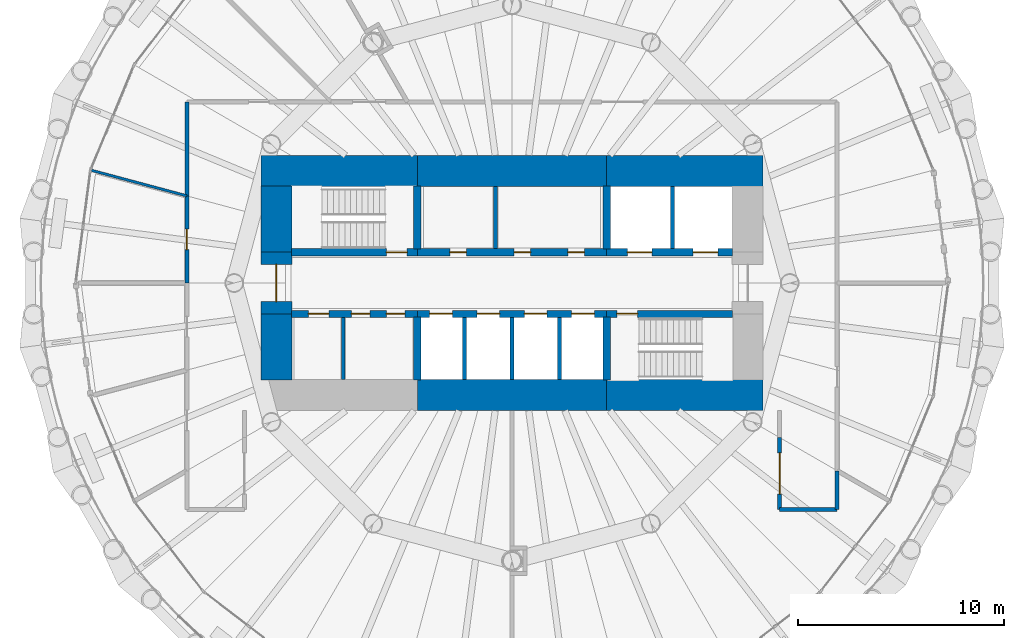
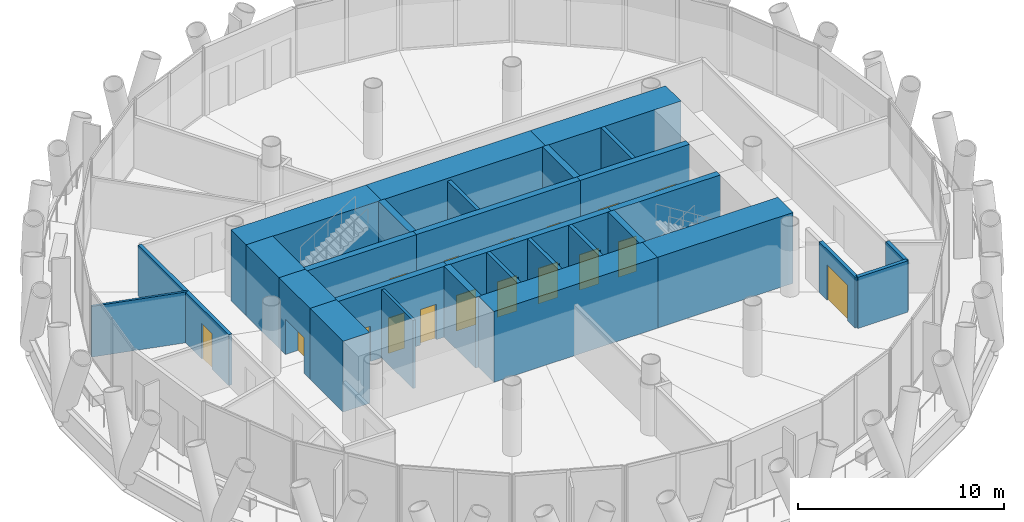
# One storey, part 10 of 14: 30 walls, 17 doors, 17 openings.
"""IFC4 building model written with IfcOpenShell, lengths in metres."""

from ifc_helpers import new_model, si_unit, direction, frame, frame_2d, origin, place, context, subcontext, project, spatial, rectangle, extrude, material, layer, layer_set, type_object, element, fill, save


model = new_model("IFC4")

# Units and contexts
model_context = context("Model", 3, precision=1e-05, world=origin(), true_north=direction((0.0, 1.0)))
body_context = subcontext(model_context, "Body", "Model", "MODEL_VIEW")
ifc_project = project(units=[si_unit("LENGTHUNIT", "METRE"), si_unit("AREAUNIT", "SQUARE_METRE"), si_unit("VOLUMEUNIT", "CUBIC_METRE"), si_unit("PLANEANGLEUNIT", "RADIAN"), si_unit("MASSUNIT", "GRAM", prefix="KILO")], contexts=[model_context])

# Site, building, storey
site_placement = place(None, origin())
site = spatial("IfcSite", under=ifc_project, at=site_placement, CompositionType="ELEMENT")
building_placement = place(site_placement, origin())
building = spatial("IfcBuilding", under=site, at=building_placement, Name="Qaws Media Tower", CompositionType="ELEMENT")
storey_placement = place(building_placement, frame((0.0, 0.0, 202.39990234375)))
storey = spatial("IfcBuildingStorey", under=building, at=storey_placement, Name="L46", CompositionType="ELEMENT", Elevation=202.39990234375)

# Wall, opening, door
ifc_material_1 = material(Name="Concrete C60/75", Category="concrete")
ifc_layer_1 = layer(ifc_material_1, 0.35009765625)
ifc_layer_set_1 = layer_set([ifc_layer_1], Name="Core inner wall 350")
wall_type_1 = type_object("IfcWallType", Name="Core inner wall 350", PredefinedType="SHEAR", material=ifc_layer_set_1)
wall_1_placement = place(storey_placement, frame((49.280029296875, 51.5, 0.0), z_axis=(0.0, 0.0, 1.0), x_axis=(1.0, 0.0, 0.0)))
wall_1 = element("IfcWall", 1, at=wall_1_placement, inside=storey, type_object=wall_type_1, Name="W301 SW5 core wall SPNW L46", PredefinedType="SHEAR", context=body_context, shape_type="SweptSolid", body=[
    extrude(rectangle(XDim=6.119873046875, YDim=0.35009765625, at=frame_2d((3.06005859375, 0.0))), origin(), (0.0, 0.0, 1.0), 4.2001953125),
])
opening_1_placement = place(wall_1_placement, frame((4.6201171875, 0.0, 0.0)))
opening_1 = element("IfcOpeningElement", 2, at=opening_1_placement, cuts=wall_1, Name="Opening D1", PredefinedType="OPENING", context=body_context, shape_type="SweptSolid", body=[
    extrude(rectangle(XDim=1.0, YDim=2.10009765625, at=frame_2d((0.5, 1.050048828125))), frame((0.0, 0.18505859375, 0.0), z_axis=(0.0, -1.0, 0.0), x_axis=(1.0, 0.0, 0.0)), (0.0, 0.0, 1.0), 0.3701171875),
])
ifc_material_2 = material(Name="Steel, fire rated", Category="steel")
door_type_1 = type_object("IfcDoorType", Name="Stair door 1000 FD120", OperationType="SINGLE_SWING_LEFT", PredefinedType="DOOR", material=ifc_material_2)
door_1_placement = place(opening_1_placement, origin())
door_1 = element("IfcDoor", 3, at=door_1_placement, inside=storey, type_object=door_type_1, Name="D1 stair S1 door L46 in wall W301", OperationType="SINGLE_SWING_LEFT", OverallHeight=2.10009765625, OverallWidth=1.0, PredefinedType="DOOR", context=body_context, shape_type="SweptSolid", body=[
    extrude(rectangle(XDim=1.0, YDim=2.10009765625, at=frame_2d((0.5, 1.050048828125))), frame((0.0, 0.02490234375, 0.0), z_axis=(0.0, -1.0, 0.0), x_axis=(1.0, 0.0, 0.0)), (0.0, 0.0, 1.0), 0.050048828125),
])
fill(opening_1, door_1)

# Wall, openings, doors
wall_2_placement = place(storey_placement, frame((55.39990234375, 51.5, 0.0), z_axis=(0.0, 0.0, 1.0), x_axis=(1.0, 0.0, 0.0)))
wall_2 = element("IfcWall", 4, at=wall_2_placement, inside=storey, type_object=wall_type_1, Name="W304 SW5 core wall SPN L46", PredefinedType="SHEAR", context=body_context, shape_type="SweptSolid", body=[
    extrude(rectangle(XDim=9.2001953125, YDim=0.35009765625, at=frame_2d((4.60009765625, 0.0))), origin(), (0.0, 0.0, 1.0), 4.2001953125),
])
opening_2_placement = place(wall_2_placement, frame((1.585205078125, 0.0, 0.0)))
opening_2 = element("IfcOpeningElement", 5, at=opening_2_placement, cuts=wall_2, Name="Opening D23", PredefinedType="OPENING", context=body_context, shape_type="SweptSolid", body=[
    extrude(rectangle(XDim=0.800048828125, YDim=2.10009765625, at=frame_2d((0.39990234375, 1.050048828125))), frame((0.0, 0.18505859375, 0.0), z_axis=(0.0, -1.0, 0.0), x_axis=(1.0, 0.0, 0.0)), (0.0, 0.0, 1.0), 0.3701171875),
])
opening_3_placement = place(wall_2_placement, frame((4.702880859375, 0.0, 0.0)))
opening_3 = element("IfcOpeningElement", 6, at=opening_3_placement, cuts=wall_2, Name="Opening D23", PredefinedType="OPENING", context=body_context, shape_type="SweptSolid", body=[
    extrude(rectangle(XDim=0.800048828125, YDim=2.10009765625, at=frame_2d((0.39990234375, 1.050048828125))), frame((0.0, 0.18505859375, 0.0), z_axis=(0.0, -1.0, 0.0), x_axis=(1.0, 0.0, 0.0)), (0.0, 0.0, 1.0), 0.3701171875),
])
opening_4_placement = place(wall_2_placement, frame((7.317626953125, 0.0, 0.0)))
opening_4 = element("IfcOpeningElement", 7, at=opening_4_placement, cuts=wall_2, Name="Opening D23", PredefinedType="OPENING", context=body_context, shape_type="SweptSolid", body=[
    extrude(rectangle(XDim=0.800048828125, YDim=2.10009765625, at=frame_2d((0.39990234375, 1.050048828125))), frame((0.0, 0.18505859375, 0.0), z_axis=(0.0, -1.0, 0.0), x_axis=(1.0, 0.0, 0.0)), (0.0, 0.0, 1.0), 0.3701171875),
])
ifc_material_3 = material(Name="Steel, fire rated", Category="steel")
door_type_2 = type_object("IfcDoorType", Name="Core room door 800x2100", OperationType="SINGLE_SWING_LEFT", PredefinedType="DOOR", material=ifc_material_3)
door_2_placement = place(opening_2_placement, origin())
door_2 = element("IfcDoor", 8, at=door_2_placement, inside=storey, type_object=door_type_2, Name="D23 Ladies toilets door L46 in wall W304", OperationType="SINGLE_SWING_LEFT", OverallHeight=2.10009765625, OverallWidth=0.800048828125, PredefinedType="DOOR", context=body_context, shape_type="SweptSolid", body=[
    extrude(rectangle(XDim=0.800048828125, YDim=2.10009765625, at=frame_2d((0.39990234375, 1.050048828125))), frame((0.0, 0.02490234375, 0.0), z_axis=(0.0, -1.0, 0.0), x_axis=(1.0, 0.0, 0.0)), (0.0, 0.0, 1.0), 0.050048828125),
])
fill(opening_2, door_2)
door_3_placement = place(opening_3_placement, origin())
door_3 = element("IfcDoor", 9, at=door_3_placement, inside=storey, type_object=door_type_2, Name="D23 Gents toilets door L46 2 in wall W304", OperationType="SINGLE_SWING_LEFT", OverallHeight=2.10009765625, OverallWidth=0.800048828125, PredefinedType="DOOR", context=body_context, shape_type="SweptSolid", body=[
    extrude(rectangle(XDim=0.800048828125, YDim=2.10009765625, at=frame_2d((0.39990234375, 1.050048828125))), frame((0.0, 0.02490234375, 0.0), z_axis=(0.0, -1.0, 0.0), x_axis=(1.0, 0.0, 0.0)), (0.0, 0.0, 1.0), 0.050048828125),
])
fill(opening_3, door_3)
door_4_placement = place(opening_4_placement, origin())
door_4 = element("IfcDoor", 10, at=door_4_placement, inside=storey, type_object=door_type_2, Name="D23 Gents toilets door L46 3 in wall W304", OperationType="SINGLE_SWING_LEFT", OverallHeight=2.10009765625, OverallWidth=0.800048828125, PredefinedType="DOOR", context=body_context, shape_type="SweptSolid", body=[
    extrude(rectangle(XDim=0.800048828125, YDim=2.10009765625, at=frame_2d((0.39990234375, 1.050048828125))), frame((0.0, 0.02490234375, 0.0), z_axis=(0.0, -1.0, 0.0), x_axis=(1.0, 0.0, 0.0)), (0.0, 0.0, 1.0), 0.050048828125),
])
fill(opening_4, door_4)

wall_3_placement = place(storey_placement, frame((64.60009765625, 51.5, 0.0), z_axis=(0.0, 0.0, 1.0), x_axis=(1.0, 0.0, 0.0)))
wall_3 = element("IfcWall", 11, at=wall_3_placement, inside=storey, type_object=wall_type_1, Name="W308 SW5 core wall SPNE L46", PredefinedType="SHEAR", context=body_context, shape_type="SweptSolid", body=[
    extrude(rectangle(XDim=6.119873046875, YDim=0.35009765625, at=frame_2d((3.06005859375, 0.0))), origin(), (0.0, 0.0, 1.0), 4.2001953125),
])
opening_5_placement = place(wall_3_placement, frame((1.0, 0.0, 0.0)))
opening_5 = element("IfcOpeningElement", 12, at=opening_5_placement, cuts=wall_3, Name="Opening LD2", PredefinedType="OPENING", context=body_context, shape_type="SweptSolid", body=[
    extrude(rectangle(XDim=1.199951171875, YDim=2.10009765625, at=frame_2d((0.60009765625, 1.050048828125))), frame((0.0, 0.18505859375, 0.0), z_axis=(0.0, -1.0, 0.0), x_axis=(1.0, 0.0, 0.0)), (0.0, 0.0, 1.0), 0.3701171875),
])
opening_6_placement = place(wall_3_placement, frame((4.199951171875, 0.0, 0.0)))
opening_6 = element("IfcOpeningElement", 13, at=opening_6_placement, cuts=wall_3, Name="Opening LD2", PredefinedType="OPENING", context=body_context, shape_type="SweptSolid", body=[
    extrude(rectangle(XDim=1.199951171875, YDim=2.10009765625, at=frame_2d((0.60009765625, 1.050048828125))), frame((0.0, 0.18505859375, 0.0), z_axis=(0.0, -1.0, 0.0), x_axis=(1.0, 0.0, 0.0)), (0.0, 0.0, 1.0), 0.3701171875),
])
ifc_material_4 = material(Name="Steel, fire rated", Category="steel")
door_type_3 = type_object("IfcDoorType", Name="Lift landing door 1200", OperationType="SLIDING_TO_LEFT", PredefinedType="DOOR", material=ifc_material_4)
door_5_placement = place(opening_5_placement, origin())
door_5 = element("IfcDoor", 14, at=door_5_placement, inside=storey, type_object=door_type_3, Name="FL1 landing door L46 in wall W308", OperationType="SLIDING_TO_LEFT", OverallHeight=2.10009765625, OverallWidth=1.199951171875, PredefinedType="DOOR", context=body_context, shape_type="SweptSolid", body=[
    extrude(rectangle(XDim=1.199951171875, YDim=2.10009765625, at=frame_2d((0.60009765625, 1.050048828125))), frame((0.0, 0.02490234375, 0.0), z_axis=(0.0, -1.0, 0.0), x_axis=(1.0, 0.0, 0.0)), (0.0, 0.0, 1.0), 0.050048828125),
])
fill(opening_5, door_5)
door_6_placement = place(opening_6_placement, origin())
door_6 = element("IfcDoor", 15, at=door_6_placement, inside=storey, type_object=door_type_3, Name="FL2 landing door L46 in wall W308", OperationType="SLIDING_TO_LEFT", OverallHeight=2.10009765625, OverallWidth=1.199951171875, PredefinedType="DOOR", context=body_context, shape_type="SweptSolid", body=[
    extrude(rectangle(XDim=1.199951171875, YDim=2.10009765625, at=frame_2d((0.60009765625, 1.050048828125))), frame((0.0, 0.02490234375, 0.0), z_axis=(0.0, -1.0, 0.0), x_axis=(1.0, 0.0, 0.0)), (0.0, 0.0, 1.0), 0.050048828125),
])
fill(opening_6, door_6)

wall_4_placement = place(storey_placement, frame((49.280029296875, 48.5, 0.0), z_axis=(0.0, 0.0, 1.0), x_axis=(1.0, 0.0, 0.0)))
wall_4 = element("IfcWall", 16, at=wall_4_placement, inside=storey, type_object=wall_type_1, Name="W300 SW5 core wall SPSW L46", PredefinedType="SHEAR", context=body_context, shape_type="SweptSolid", body=[
    extrude(rectangle(XDim=6.119873046875, YDim=0.35009765625, at=frame_2d((3.06005859375, 0.0))), origin(), (0.0, 0.0, 1.0), 4.2001953125),
])
opening_7_placement = place(wall_4_placement, frame((0.820068359375, 0.0, 0.0)))
opening_7 = element("IfcOpeningElement", 17, at=opening_7_placement, cuts=wall_4, Name="Opening D4", PredefinedType="OPENING", context=body_context, shape_type="SweptSolid", body=[
    extrude(rectangle(XDim=1.0, YDim=2.10009765625, at=frame_2d((0.5, 1.050048828125))), frame((0.0, 0.18505859375, 0.0), z_axis=(0.0, -1.0, 0.0), x_axis=(1.0, 0.0, 0.0)), (0.0, 0.0, 1.0), 0.3701171875),
])
opening_8_placement = place(wall_4_placement, frame((2.919921875, 0.0, 0.0)))
opening_8 = element("IfcOpeningElement", 18, at=opening_8_placement, cuts=wall_4, Name="Opening D25", PredefinedType="OPENING", context=body_context, shape_type="SweptSolid", body=[
    extrude(rectangle(XDim=0.89990234375, YDim=2.10009765625, at=frame_2d((0.449951171875, 1.050048828125))), frame((0.0, 0.18505859375, 0.0), z_axis=(0.0, -1.0, 0.0), x_axis=(1.0, 0.0, 0.0)), (0.0, 0.0, 1.0), 0.3701171875),
])
opening_9_placement = place(wall_4_placement, frame((4.6201171875, 0.0, 0.0)))
opening_9 = element("IfcOpeningElement", 19, at=opening_9_placement, cuts=wall_4, Name="Opening D25", PredefinedType="OPENING", context=body_context, shape_type="SweptSolid", body=[
    extrude(rectangle(XDim=0.89990234375, YDim=2.10009765625, at=frame_2d((0.449951171875, 1.050048828125))), frame((0.0, 0.18505859375, 0.0), z_axis=(0.0, -1.0, 0.0), x_axis=(1.0, 0.0, 0.0)), (0.0, 0.0, 1.0), 0.3701171875),
])
ifc_material_5 = material(Name="Timber veneered", Category="wood")
door_type_4 = type_object("IfcDoorType", Name="Accessible WC door 1000", OperationType="SLIDING_TO_LEFT", PredefinedType="DOOR", material=ifc_material_5)
door_7_placement = place(opening_7_placement, origin())
door_7 = element("IfcDoor", 20, at=door_7_placement, inside=storey, type_object=door_type_4, Name="D4 toilet door 1 L46 in wall W300", OperationType="SLIDING_TO_LEFT", OverallHeight=2.10009765625, OverallWidth=1.0, PredefinedType="DOOR", context=body_context, shape_type="SweptSolid", body=[
    extrude(rectangle(XDim=1.0, YDim=2.10009765625, at=frame_2d((0.5, 1.050048828125))), frame((0.0, 0.02490234375, 0.0), z_axis=(0.0, -1.0, 0.0), x_axis=(1.0, 0.0, 0.0)), (0.0, 0.0, 1.0), 0.050048828125),
])
fill(opening_7, door_7)
ifc_material_6 = material(Name="Steel, fire rated", Category="steel")
door_type_5 = type_object("IfcDoorType", Name="Core service door 900", OperationType="SINGLE_SWING_RIGHT", PredefinedType="DOOR", material=ifc_material_6)
door_8_placement = place(opening_8_placement, origin())
door_8 = element("IfcDoor", 21, at=door_8_placement, inside=storey, type_object=door_type_5, Name="D25 toilet door 2 L46 in wall W300", OperationType="SINGLE_SWING_RIGHT", OverallHeight=2.10009765625, OverallWidth=0.89990234375, PredefinedType="DOOR", context=body_context, shape_type="SweptSolid", body=[
    extrude(rectangle(XDim=0.89990234375, YDim=2.10009765625, at=frame_2d((0.449951171875, 1.050048828125))), frame((0.0, 0.02490234375, 0.0), z_axis=(0.0, -1.0, 0.0), x_axis=(1.0, 0.0, 0.0)), (0.0, 0.0, 1.0), 0.050048828125),
])
fill(opening_8, door_8)
door_9_placement = place(opening_9_placement, origin())
door_9 = element("IfcDoor", 22, at=door_9_placement, inside=storey, type_object=door_type_5, Name="D25 toilet door 3 L46 in wall W300", OperationType="SINGLE_SWING_RIGHT", OverallHeight=2.10009765625, OverallWidth=0.89990234375, PredefinedType="DOOR", context=body_context, shape_type="SweptSolid", body=[
    extrude(rectangle(XDim=0.89990234375, YDim=2.10009765625, at=frame_2d((0.449951171875, 1.050048828125))), frame((0.0, 0.02490234375, 0.0), z_axis=(0.0, -1.0, 0.0), x_axis=(1.0, 0.0, 0.0)), (0.0, 0.0, 1.0), 0.050048828125),
])
fill(opening_9, door_9)

wall_5_placement = place(storey_placement, frame((55.39990234375, 48.5, 0.0), z_axis=(0.0, 0.0, 1.0), x_axis=(1.0, 0.0, 0.0)))
wall_5 = element("IfcWall", 23, at=wall_5_placement, inside=storey, type_object=wall_type_1, Name="W303 SW5 core wall SPS L46", PredefinedType="SHEAR", context=body_context, shape_type="SweptSolid", body=[
    extrude(rectangle(XDim=9.2001953125, YDim=0.35009765625, at=frame_2d((4.60009765625, 0.0))), origin(), (0.0, 0.0, 1.0), 4.2001953125),
])
opening_10_placement = place(wall_5_placement, frame((0.60009765625, 0.0, 0.0)))
opening_10 = element("IfcOpeningElement", 24, at=opening_10_placement, cuts=wall_5, Name="Opening LD", PredefinedType="OPENING", context=body_context, shape_type="SweptSolid", body=[
    extrude(rectangle(XDim=1.10009765625, YDim=2.10009765625, at=frame_2d((0.550048828125, 1.050048828125))), frame((0.0, 0.18505859375, 0.0), z_axis=(0.0, -1.0, 0.0), x_axis=(1.0, 0.0, 0.0)), (0.0, 0.0, 1.0), 0.3701171875),
])
opening_11_placement = place(wall_5_placement, frame((2.89990234375, 0.0, 0.0)))
opening_11 = element("IfcOpeningElement", 25, at=opening_11_placement, cuts=wall_5, Name="Opening LD", PredefinedType="OPENING", context=body_context, shape_type="SweptSolid", body=[
    extrude(rectangle(XDim=1.10009765625, YDim=2.10009765625, at=frame_2d((0.550048828125, 1.050048828125))), frame((0.0, 0.18505859375, 0.0), z_axis=(0.0, -1.0, 0.0), x_axis=(1.0, 0.0, 0.0)), (0.0, 0.0, 1.0), 0.3701171875),
])
opening_12_placement = place(wall_5_placement, frame((5.199951171875, 0.0, 0.0)))
opening_12 = element("IfcOpeningElement", 26, at=opening_12_placement, cuts=wall_5, Name="Opening LD", PredefinedType="OPENING", context=body_context, shape_type="SweptSolid", body=[
    extrude(rectangle(XDim=1.10009765625, YDim=2.10009765625, at=frame_2d((0.550048828125, 1.050048828125))), frame((0.0, 0.18505859375, 0.0), z_axis=(0.0, -1.0, 0.0), x_axis=(1.0, 0.0, 0.0)), (0.0, 0.0, 1.0), 0.3701171875),
])
opening_13_placement = place(wall_5_placement, frame((7.5, 0.0, 0.0)))
opening_13 = element("IfcOpeningElement", 27, at=opening_13_placement, cuts=wall_5, Name="Opening LD", PredefinedType="OPENING", context=body_context, shape_type="SweptSolid", body=[
    extrude(rectangle(XDim=1.10009765625, YDim=2.10009765625, at=frame_2d((0.550048828125, 1.050048828125))), frame((0.0, 0.18505859375, 0.0), z_axis=(0.0, -1.0, 0.0), x_axis=(1.0, 0.0, 0.0)), (0.0, 0.0, 1.0), 0.3701171875),
])
ifc_material_7 = material(Name="Steel, fire rated", Category="steel")
door_type_6 = type_object("IfcDoorType", Name="Lift landing door 1100", OperationType="SLIDING_TO_LEFT", PredefinedType="DOOR", material=ifc_material_7)
door_10_placement = place(opening_10_placement, origin())
door_10 = element("IfcDoor", 28, at=door_10_placement, inside=storey, type_object=door_type_6, Name="P5 landing door L46 in wall W303", OperationType="SLIDING_TO_LEFT", OverallHeight=2.10009765625, OverallWidth=1.10009765625, PredefinedType="DOOR", context=body_context, shape_type="SweptSolid", body=[
    extrude(rectangle(XDim=1.10009765625, YDim=2.10009765625, at=frame_2d((0.550048828125, 1.050048828125))), frame((0.0, 0.02490234375, 0.0), z_axis=(0.0, -1.0, 0.0), x_axis=(1.0, 0.0, 0.0)), (0.0, 0.0, 1.0), 0.050048828125),
])
fill(opening_10, door_10)
door_11_placement = place(opening_11_placement, origin())
door_11 = element("IfcDoor", 29, at=door_11_placement, inside=storey, type_object=door_type_6, Name="P6 landing door L46 in wall W303", OperationType="SLIDING_TO_LEFT", OverallHeight=2.10009765625, OverallWidth=1.10009765625, PredefinedType="DOOR", context=body_context, shape_type="SweptSolid", body=[
    extrude(rectangle(XDim=1.10009765625, YDim=2.10009765625, at=frame_2d((0.550048828125, 1.050048828125))), frame((0.0, 0.02490234375, 0.0), z_axis=(0.0, -1.0, 0.0), x_axis=(1.0, 0.0, 0.0)), (0.0, 0.0, 1.0), 0.050048828125),
])
fill(opening_11, door_11)
door_12_placement = place(opening_12_placement, origin())
door_12 = element("IfcDoor", 30, at=door_12_placement, inside=storey, type_object=door_type_6, Name="P7 landing door L46 in wall W303", OperationType="SLIDING_TO_LEFT", OverallHeight=2.10009765625, OverallWidth=1.10009765625, PredefinedType="DOOR", context=body_context, shape_type="SweptSolid", body=[
    extrude(rectangle(XDim=1.10009765625, YDim=2.10009765625, at=frame_2d((0.550048828125, 1.050048828125))), frame((0.0, 0.02490234375, 0.0), z_axis=(0.0, -1.0, 0.0), x_axis=(1.0, 0.0, 0.0)), (0.0, 0.0, 1.0), 0.050048828125),
])
fill(opening_12, door_12)
door_13_placement = place(opening_13_placement, origin())
door_13 = element("IfcDoor", 31, at=door_13_placement, inside=storey, type_object=door_type_6, Name="P8 landing door L46 in wall W303", OperationType="SLIDING_TO_LEFT", OverallHeight=2.10009765625, OverallWidth=1.10009765625, PredefinedType="DOOR", context=body_context, shape_type="SweptSolid", body=[
    extrude(rectangle(XDim=1.10009765625, YDim=2.10009765625, at=frame_2d((0.550048828125, 1.050048828125))), frame((0.0, 0.02490234375, 0.0), z_axis=(0.0, -1.0, 0.0), x_axis=(1.0, 0.0, 0.0)), (0.0, 0.0, 1.0), 0.050048828125),
])
fill(opening_13, door_13)

# Wall, opening, door
wall_6_placement = place(storey_placement, frame((64.60009765625, 48.5, 0.0), z_axis=(0.0, 0.0, 1.0), x_axis=(1.0, 0.0, 0.0)))
wall_6 = element("IfcWall", 32, at=wall_6_placement, inside=storey, type_object=wall_type_1, Name="W307 SW5 core wall SPSE L46", PredefinedType="SHEAR", context=body_context, shape_type="SweptSolid", body=[
    extrude(rectangle(XDim=6.119873046875, YDim=0.35009765625, at=frame_2d((3.06005859375, 0.0))), origin(), (0.0, 0.0, 1.0), 4.2001953125),
])
opening_14_placement = place(wall_6_placement, frame((0.5, 0.0, 0.0)))
opening_14 = element("IfcOpeningElement", 33, at=opening_14_placement, cuts=wall_6, Name="Opening D1", PredefinedType="OPENING", context=body_context, shape_type="SweptSolid", body=[
    extrude(rectangle(XDim=1.0, YDim=2.10009765625, at=frame_2d((0.5, 1.050048828125))), frame((0.0, 0.18505859375, 0.0), z_axis=(0.0, -1.0, 0.0), x_axis=(1.0, 0.0, 0.0)), (0.0, 0.0, 1.0), 0.3701171875),
])
door_14_placement = place(opening_14_placement, origin())
door_14 = element("IfcDoor", 34, at=door_14_placement, inside=storey, type_object=door_type_1, Name="D1 stair S2 door L46 in wall W307", OperationType="SINGLE_SWING_LEFT", OverallHeight=2.10009765625, OverallWidth=1.0, PredefinedType="DOOR", context=body_context, shape_type="SweptSolid", body=[
    extrude(rectangle(XDim=1.0, YDim=2.10009765625, at=frame_2d((0.5, 1.050048828125))), frame((0.0, 0.02490234375, 0.0), z_axis=(0.0, -1.0, 0.0), x_axis=(1.0, 0.0, 0.0)), (0.0, 0.0, 1.0), 0.050048828125),
])
fill(opening_14, door_14)

# Walls
for number, where, z_axis, x_axis, name in (
    (35, (55.39990234375, 51.655029296875, 0.0), (0.0, 0.0, 1.0), (0.0, 1.0, 0.0), "W305 SW5 core wall XNW L46"),
    (36, (64.60009765625, 51.655029296875, 0.0), (0.0, 0.0, 1.0), (0.0, 1.0, 0.0), "W309 SW5 core wall XNE L46"),
    (37, (55.39990234375, 48.344970703125, 0.0), (0.0, 0.0, 1.0), (0.0, -1.0, 0.0), "W302 SW5 core wall XSW L46"),
    (38, (64.60009765625, 48.344970703125, 0.0), (0.0, 0.0, 1.0), (0.0, -1.0, 0.0), "W306 SW5 core wall XSE L46"),
):
    element("IfcWall", number, at=place(storey_placement, frame(where, z_axis=z_axis, x_axis=x_axis)), inside=storey, type_object=wall_type_1, Name=name, PredefinedType="SHEAR", context=body_context, shape_type="SweptSolid", body=[
        extrude(rectangle(XDim=3.06494140625, YDim=0.35009765625, at=frame_2d((1.532470703125, 0.0))), origin(), (0.0, 0.0, 1.0), 4.2001953125),
    ])
ifc_material_8 = material(Name="Concrete C60/75", Category="concrete")
ifc_layer_2 = layer(ifc_material_8, 1.5)
ifc_layer_set_2 = layer_set([ifc_layer_2], Name="Core wall 1500")
wall_type_2 = type_object("IfcWallType", Name="Core wall 1500", PredefinedType="SHEAR", material=ifc_layer_set_2)
wall_7_placement = place(storey_placement, frame((47.800048828125, 55.449951171875, 0.0), z_axis=(0.0, 0.0, 1.0), x_axis=(1.0, 0.0, 0.0)))
element("IfcWall", 39, at=wall_7_placement, inside=storey, type_object=wall_type_2, Name="W377 SW13 core wall NW L46", PredefinedType="SHEAR", context=body_context, shape_type="SweptSolid", body=[
    extrude(rectangle(XDim=7.599853515625, YDim=1.5, at=frame_2d((3.7998046875, 0.0))), origin(), (0.0, 0.0, 1.0), 4.2001953125),
])
wall_8_placement = place(storey_placement, frame((55.39990234375, 55.449951171875, 0.0), z_axis=(0.0, 0.0, 1.0), x_axis=(1.0, 0.0, 0.0)))
element("IfcWall", 40, at=wall_8_placement, inside=storey, type_object=wall_type_2, Name="W373 SW13 core wall N L46", PredefinedType="SHEAR", context=body_context, shape_type="SweptSolid", body=[
    extrude(rectangle(XDim=9.2001953125, YDim=1.5, at=frame_2d((4.60009765625, 0.0))), origin(), (0.0, 0.0, 1.0), 4.2001953125),
])
wall_9_placement = place(storey_placement, frame((64.60009765625, 55.449951171875, 0.0), z_axis=(0.0, 0.0, 1.0), x_axis=(1.0, 0.0, 0.0)))
element("IfcWall", 41, at=wall_9_placement, inside=storey, type_object=wall_type_2, Name="W382 SW13 core wall NE L46", PredefinedType="SHEAR", context=body_context, shape_type="SweptSolid", body=[
    extrude(rectangle(XDim=7.599853515625, YDim=1.5, at=frame_2d((3.7998046875, 0.0))), origin(), (0.0, 0.0, 1.0), 4.2001953125),
])
wall_10_placement = place(storey_placement, frame((55.39990234375, 44.550048828125, 0.0), z_axis=(0.0, 0.0, 1.0), x_axis=(1.0, 0.0, 0.0)))
element("IfcWall", 42, at=wall_10_placement, inside=storey, type_object=wall_type_2, Name="W372 SW13 core wall S L46", PredefinedType="SHEAR", context=body_context, shape_type="SweptSolid", body=[
    extrude(rectangle(XDim=9.2001953125, YDim=1.5, at=frame_2d((4.60009765625, 0.0))), origin(), (0.0, 0.0, 1.0), 4.2001953125),
])
wall_11_placement = place(storey_placement, frame((64.60009765625, 44.550048828125, 0.0), z_axis=(0.0, 0.0, 1.0), x_axis=(1.0, 0.0, 0.0)))
element("IfcWall", 43, at=wall_11_placement, inside=storey, type_object=wall_type_2, Name="W381 SW13 core wall SE L46", PredefinedType="SHEAR", context=body_context, shape_type="SweptSolid", body=[
    extrude(rectangle(XDim=7.599853515625, YDim=1.5, at=frame_2d((3.7998046875, 0.0))), origin(), (0.0, 0.0, 1.0), 4.2001953125),
])
wall_12_placement = place(storey_placement, frame((48.550048828125, 45.280029296875, 0.0), z_axis=(0.0, 0.0, 1.0), x_axis=(0.0, 1.0, 0.0)))
element("IfcWall", 44, at=wall_12_placement, inside=storey, type_object=wall_type_2, Name="W378 SW13 core wall WS L46", PredefinedType="SHEAR", context=body_context, shape_type="SweptSolid", body=[
    extrude(rectangle(XDim=3.219970703125, YDim=1.5, at=frame_2d((1.60986328125, 0.0))), origin(), (0.0, 0.0, 1.0), 4.2001953125),
])

# Wall, opening, door
wall_13_placement = place(storey_placement, frame((48.550048828125, 48.5, 0.0), z_axis=(0.0, 0.0, 1.0), x_axis=(0.0, 1.0, 0.0)))
wall_13 = element("IfcWall", 45, at=wall_13_placement, inside=storey, type_object=wall_type_2, Name="W379 SW13 core wall W L46", PredefinedType="SHEAR", context=body_context, shape_type="SweptSolid", body=[
    extrude(rectangle(XDim=3.0, YDim=1.5, at=frame_2d((1.5, 0.0))), origin(), (0.0, 0.0, 1.0), 4.2001953125),
])
opening_15_placement = place(wall_13_placement, frame((0.60009765625, 0.0, 0.0)))
opening_15 = element("IfcOpeningElement", 46, at=opening_15_placement, cuts=wall_13, Name="Opening D2", PredefinedType="OPENING", context=body_context, shape_type="SweptSolid", body=[
    extrude(rectangle(XDim=1.800048828125, YDim=2.10009765625, at=frame_2d((0.89990234375, 1.050048828125))), frame((0.0, 0.760009765625, 0.0), z_axis=(0.0, -1.0, 0.0), x_axis=(1.0, 0.0, 0.0)), (0.0, 0.0, 1.0), 1.52001953125),
])
ifc_material_9 = material(Name="Steel and glass, fire rated", Category="steel")
door_type_7 = type_object("IfcDoorType", Name="Lobby door pair 1800 FD60", OperationType="DOUBLE_DOOR_DOUBLE_SWING", PredefinedType="DOOR", material=ifc_material_9)
door_15_placement = place(opening_15_placement, origin())
door_15 = element("IfcDoor", 47, at=door_15_placement, inside=storey, type_object=door_type_7, Name="D2 core lobby door W L46 in wall W379", OperationType="DOUBLE_DOOR_DOUBLE_SWING", OverallHeight=2.10009765625, OverallWidth=1.800048828125, PredefinedType="DOOR", context=body_context, shape_type="SweptSolid", body=[
    extrude(rectangle(XDim=1.800048828125, YDim=2.10009765625, at=frame_2d((0.89990234375, 1.050048828125))), frame((0.0, 0.02490234375, 0.0), z_axis=(0.0, -1.0, 0.0), x_axis=(1.0, 0.0, 0.0)), (0.0, 0.0, 1.0), 0.050048828125),
])
fill(opening_15, door_15)

# Walls
wall_14_placement = place(storey_placement, frame((48.550048828125, 51.5, 0.0), z_axis=(0.0, 0.0, 1.0), x_axis=(0.0, 1.0, 0.0)))
element("IfcWall", 48, at=wall_14_placement, inside=storey, type_object=wall_type_2, Name="W380 SW13 core wall WN L46", PredefinedType="SHEAR", context=body_context, shape_type="SweptSolid", body=[
    extrude(rectangle(XDim=3.219970703125, YDim=1.5, at=frame_2d((1.60986328125, 0.0))), origin(), (0.0, 0.0, 1.0), 4.2001953125),
])
ifc_material_10 = material(Name="Two layers gypsum board each side on 75 studs, insulated", Category="gypsum")
ifc_layer_3 = layer(ifc_material_10, 0.125)
ifc_layer_set_3 = layer_set([ifc_layer_3], Name="Meeting room partition 125 Rw 48")
wall_type_3 = type_object("IfcWallType", Name="Meeting room partition 125 Rw 48", PredefinedType="PARTITIONING", material=ifc_layer_set_3)
wall_15_placement = place(storey_placement, frame((44.197509765625, 54.234375, 0.0), z_axis=(0.0, 0.0, 1.0), x_axis=(-0.965933749146, 0.258789474786, 0.0)))
element("IfcWall", 49, at=wall_15_placement, inside=storey, type_object=wall_type_3, Name="W595 IW5 partition L46", PredefinedType="PARTITIONING", context=body_context, shape_type="SweptSolid", body=[
    extrude(rectangle(XDim=4.800048828125, YDim=0.125, at=frame_2d((2.39990234375, 0.0))), origin(), (0.0, 0.0, 1.0), 3.01220703125),
])
ifc_material_11 = material(Name="Gypsum board on galvanised metal studs, acoustic double stud, deflection head", Category="gypsum")
ifc_layer_4 = layer(ifc_material_11, 0.199951171875)
ifc_layer_set_4 = layer_set([ifc_layer_4], Name="Room partition 200")
wall_type_4 = type_object("IfcWallType", Name="Room partition 200", PredefinedType="PARTITIONING", material=ifc_layer_set_4)
wall_16_placement = place(storey_placement, frame((75.800048828125, 40.8779296875, 0.0), z_axis=(0.0, 0.0, 1.0), x_axis=(0.0, -1.0, 0.0)))
element("IfcWall", 50, at=wall_16_placement, inside=storey, type_object=wall_type_4, Name="W1374 IW3 partition L46", PredefinedType="PARTITIONING", context=body_context, shape_type="SweptSolid", body=[
    extrude(rectangle(XDim=1.8779296875, YDim=0.199951171875, at=frame_2d((0.93896484375, 0.0))), origin(), (0.0, 0.0, 1.0), 3.01220703125),
])
wall_17_placement = place(storey_placement, frame((75.800048828125, 39.0, 0.0), z_axis=(0.0, 0.0, 1.0), x_axis=(-1.0, 0.0, 0.0)))
element("IfcWall", 51, at=wall_17_placement, inside=storey, type_object=wall_type_4, Name="W1231 IW3 partition L46", PredefinedType="PARTITIONING", context=body_context, shape_type="SweptSolid", body=[
    extrude(rectangle(XDim=2.800048828125, YDim=0.199951171875, at=frame_2d((1.39990234375, 0.0))), origin(), (0.0, 0.0, 1.0), 3.0400390625),
])

# Wall, opening, door
wall_18_placement = place(storey_placement, frame((73.0, 39.0, 0.0), z_axis=(0.0, 0.0, 1.0), x_axis=(0.0, 1.0, 0.0)))
wall_18 = element("IfcWall", 52, at=wall_18_placement, inside=storey, type_object=wall_type_4, Name="W1371 IW3 partition L46", PredefinedType="PARTITIONING", context=body_context, shape_type="SweptSolid", body=[
    extrude(rectangle(XDim=3.494384765625, YDim=0.199951171875, at=frame_2d((1.7470703125, 0.0))), origin(), (0.0, 0.0, 1.0), 3.01220703125),
])
opening_16_placement = place(wall_18_placement, frame((0.747314453125, 0.0, 0.0)))
opening_16 = element("IfcOpeningElement", 53, at=opening_16_placement, cuts=wall_18, Name="Opening D6", PredefinedType="OPENING", context=body_context, shape_type="SweptSolid", body=[
    extrude(rectangle(XDim=2.0, YDim=2.10009765625, at=frame_2d((1.0, 1.050048828125))), frame((0.0, 0.10986328125, 0.0), z_axis=(0.0, -1.0, 0.0), x_axis=(1.0, 0.0, 0.0)), (0.0, 0.0, 1.0), 0.219970703125),
])
ifc_material_12 = material(Name="Steel, acoustic, fire rated", Category="steel")
door_type_8 = type_object("IfcDoorType", Name="Room door pair 2000", OperationType="DOUBLE_DOOR_DOUBLE_SWING", PredefinedType="DOOR", material=ifc_material_12)
door_16_placement = place(opening_16_placement, origin())
door_16 = element("IfcDoor", 54, at=door_16_placement, inside=storey, type_object=door_type_8, Name="D6 Tenant studio office door L46 in wall W1371", OperationType="DOUBLE_DOOR_DOUBLE_SWING", OverallHeight=2.10009765625, OverallWidth=2.0, PredefinedType="DOOR", context=body_context, shape_type="SweptSolid", body=[
    extrude(rectangle(XDim=2.0, YDim=2.10009765625, at=frame_2d((1.0, 1.050048828125))), frame((0.0, 0.02490234375, 0.0), z_axis=(0.0, -1.0, 0.0), x_axis=(1.0, 0.0, 0.0)), (0.0, 0.0, 1.0), 0.050048828125),
])
fill(opening_16, door_16)

wall_19_placement = place(storey_placement, frame((44.199951171875, 50.0, 0.0), z_axis=(0.0, 0.0, 1.0), x_axis=(0.0, 1.0, 0.0)))
wall_19 = element("IfcWall", 55, at=wall_19_placement, inside=storey, type_object=wall_type_4, Name="W1363 IW3 partition L46", PredefinedType="PARTITIONING", context=body_context, shape_type="SweptSolid", body=[
    extrude(rectangle(XDim=4.233642578125, YDim=0.199951171875, at=frame_2d((2.11669921875, 0.0))), origin(), (0.0, 0.0, 1.0), 3.01220703125),
])
opening_17_placement = place(wall_19_placement, frame((1.61669921875, 0.0, 0.0)))
opening_17 = element("IfcOpeningElement", 56, at=opening_17_placement, cuts=wall_19, Name="Opening D5", PredefinedType="OPENING", context=body_context, shape_type="SweptSolid", body=[
    extrude(rectangle(XDim=1.0, YDim=2.10009765625, at=frame_2d((0.5, 1.050048828125))), frame((0.0, 0.10986328125, 0.0), z_axis=(0.0, -1.0, 0.0), x_axis=(1.0, 0.0, 0.0)), (0.0, 0.0, 1.0), 0.219970703125),
])
ifc_material_13 = material(Name="Timber veneered, acoustic seal", Category="wood")
door_type_9 = type_object("IfcDoorType", Name="Room door 1000", OperationType="SINGLE_SWING_LEFT", PredefinedType="DOOR", material=ifc_material_13)
door_17_placement = place(opening_17_placement, origin())
door_17 = element("IfcDoor", 57, at=door_17_placement, inside=storey, type_object=door_type_9, Name="D5 Edit room door L46 in wall W1363", OperationType="SINGLE_SWING_LEFT", OverallHeight=2.10009765625, OverallWidth=1.0, PredefinedType="DOOR", context=body_context, shape_type="SweptSolid", body=[
    extrude(rectangle(XDim=1.0, YDim=2.10009765625, at=frame_2d((0.5, 1.050048828125))), frame((0.0, 0.02490234375, 0.0), z_axis=(0.0, -1.0, 0.0), x_axis=(1.0, 0.0, 0.0)), (0.0, 0.0, 1.0), 0.050048828125),
])
fill(opening_17, door_17)

# Walls
wall_20_placement = place(storey_placement, frame((44.199951171875, 54.233642578125, 0.0), z_axis=(0.0, 0.0, 1.0), x_axis=(0.0, 1.0, 0.0)))
element("IfcWall", 58, at=wall_20_placement, inside=storey, type_object=wall_type_4, Name="W1525 IW3 partition L46", PredefinedType="PARTITIONING", context=body_context, shape_type="SweptSolid", body=[
    extrude(rectangle(XDim=4.56640625, YDim=0.199951171875, at=frame_2d((2.283203125, 0.0))), origin(), (0.0, 0.0, 1.0), 3.01220703125),
])
wall_21_placement = place(storey_placement, frame((59.195556640625, 51.675048828125, 0.0), z_axis=(0.0, 0.0, 1.0), x_axis=(0.0, 1.0, 0.0)))
element("IfcWall", 59, at=wall_21_placement, inside=storey, type_object=wall_type_4, Name="W1536 IW3 core room partition 1 L46", PredefinedType="PARTITIONING", context=body_context, shape_type="SweptSolid", body=[
    extrude(rectangle(XDim=3.02490234375, YDim=0.199951171875, at=frame_2d((1.512451171875, 0.0))), origin(), (0.0, 0.0, 1.0), 4.0400390625),
])
ifc_material_14 = material(Name="Fire-rated gypsum board shaft wall on galvanised metal studs, deflection head", Category="gypsum")
ifc_layer_5 = layer(ifc_material_14, 0.199951171875)
ifc_layer_set_5 = layer_set([ifc_layer_5], Name="Shaft wall 200")
wall_type_5 = type_object("IfcWallType", Name="Shaft wall 200", PredefinedType="PARTITIONING", material=ifc_layer_set_5)
for number, where, z_axis, x_axis, name in (
    (60, (57.699951171875, 45.300048828125, 0.0), (0.0, 0.0, 1.0), (0.0, 1.0, 0.0), "W1871 IW1 shaft wall S1 L46"),
    (61, (60.0, 45.300048828125, 0.0), (0.0, 0.0, 1.0), (0.0, 1.0, 0.0), "W1872 IW1 shaft wall S2 L46"),
    (62, (62.300048828125, 45.300048828125, 0.0), (0.0, 0.0, 1.0), (0.0, 1.0, 0.0), "W1873 IW1 shaft wall S3 L46"),
    (63, (67.800048828125, 51.675048828125, 0.0), (0.0, 0.0, 1.0), (0.0, 1.0, 0.0), "W1874 IW1 shaft wall FL L46"),
):
    element("IfcWall", number, at=place(storey_placement, frame(where, z_axis=z_axis, x_axis=x_axis)), inside=storey, type_object=wall_type_5, Name=name, PredefinedType="PARTITIONING", context=body_context, shape_type="SweptSolid", body=[
        extrude(rectangle(XDim=3.02490234375, YDim=0.199951171875, at=frame_2d((1.512451171875, 0.0))), origin(), (0.0, 0.0, 1.0), 4.2001953125),
    ])
ifc_material_15 = material(Name="Gypsum board on galvanised metal studs, deflection head", Category="gypsum")
ifc_layer_6 = layer(ifc_material_15, 0.14990234375)
ifc_layer_set_6 = layer_set([ifc_layer_6], Name="WC partition 150")
wall_type_6 = type_object("IfcWallType", Name="WC partition 150", PredefinedType="PARTITIONING", material=ifc_layer_set_6)
wall_22_placement = place(storey_placement, frame((51.800048828125, 45.300048828125, 0.0), z_axis=(0.0, 0.0, 1.0), x_axis=(0.0, 1.0, 0.0)))
element("IfcWall", 64, at=wall_22_placement, inside=storey, type_object=wall_type_6, Name="W1922 IW2 toilet partition 1 L46", PredefinedType="PARTITIONING", context=body_context, shape_type="SweptSolid", body=[
    extrude(rectangle(XDim=3.02490234375, YDim=0.14990234375, at=frame_2d((1.512451171875, 0.0))), origin(), (0.0, 0.0, 1.0), 4.0400390625),
])

save(model, "model.ifc")
